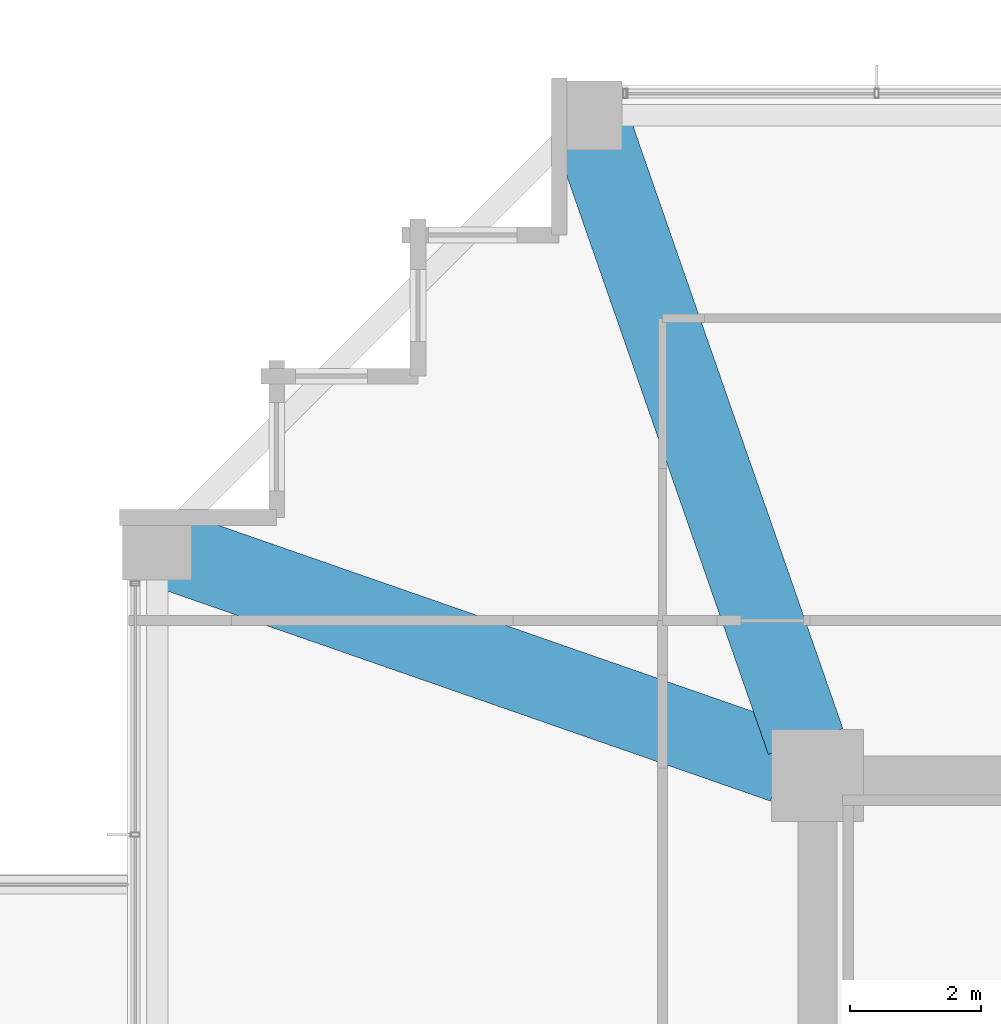
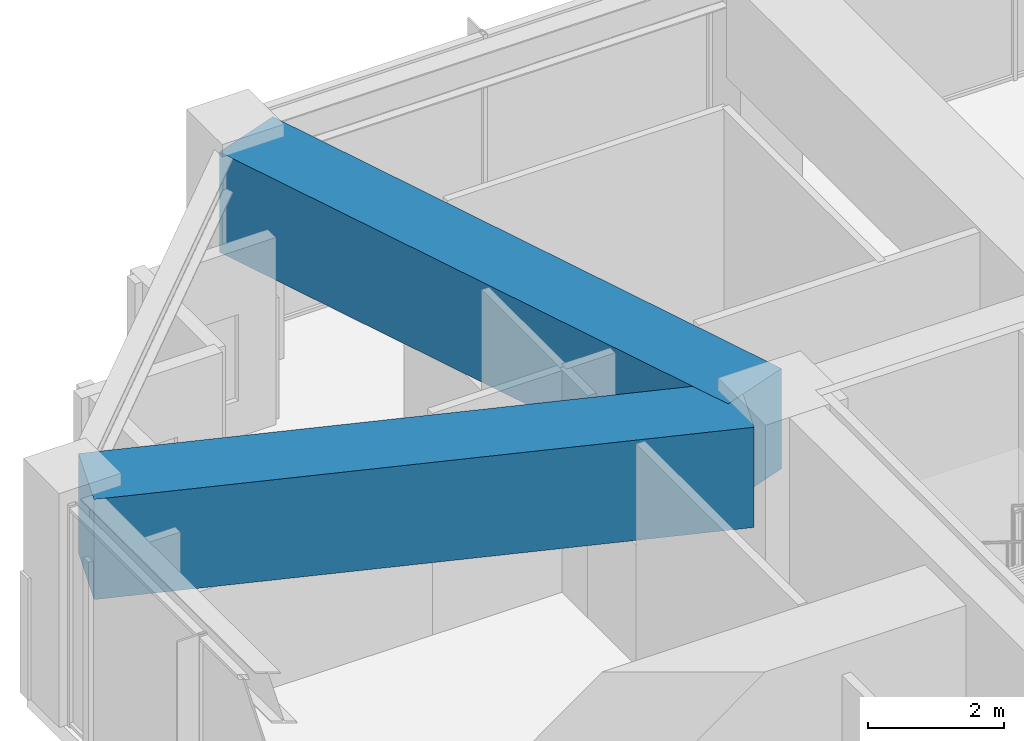
# One storey, part 21 of 40: 2 beams.
"""IFC4 building model written with IfcOpenShell, lengths in metres."""

from ifc_helpers import new_model, si_unit, direction, frame, origin, origin_2d, place, context, subcontext, project, spatial, rectangle, extrude, material, material_profile, profile_set, type_object, element, save


model = new_model("IFC4")

# Units and contexts
model_context = context("Model", 3, precision=1e-05, world=origin(), true_north=direction((0.0, 1.0)))
body_context = subcontext(model_context, "Body", "Model", "MODEL_VIEW")
ifc_project = project(units=[si_unit("LENGTHUNIT", "METRE"), si_unit("AREAUNIT", "SQUARE_METRE"), si_unit("VOLUMEUNIT", "CUBIC_METRE"), si_unit("PLANEANGLEUNIT", "RADIAN"), si_unit("MASSUNIT", "GRAM", prefix="KILO")], contexts=[model_context])

# Site, building, storey
site_placement = place(None, origin())
site = spatial("IfcSite", under=ifc_project, at=site_placement, CompositionType="ELEMENT")
building_placement = place(site_placement, origin())
building = spatial("IfcBuilding", under=site, at=building_placement, Name="Kolvaren Belvedere", CompositionType="ELEMENT")
storey_placement = place(building_placement, frame((0.0, 0.0, 68.0)))
storey = spatial("IfcBuildingStorey", under=building, at=storey_placement, Name="L19", CompositionType="ELEMENT", Elevation=68.0)

# Beams
ifc_material = material(Name="Concrete C50/60", Category="concrete")
ifc_material_profile = material_profile(ifc_material, rectangle(XDim=1.199951171875, YDim=1.800048828125, at=origin_2d()), Name="RC 1200X1800")
ifc_profile_set = profile_set([ifc_material_profile], Name="Concrete C50/60")
beam_type = type_object("IfcBeamType", Name="BM-TG-1800", PredefinedType="BEAM", material=ifc_profile_set)
for number, where, z_axis, x_axis, name in (
    (1, (-10.080810546875, 10.41943359375, 3.080078125), (-0.328880894453, 0.944371408538, 0.0), (-0.944371408538, -0.328880894453, 0.0), "L19 Corner Core-to-Perimeter Girder CC4-N1"),
    (2, (-10.41943359375, 10.080810546875, 3.080078125), (-0.944371408538, 0.328880894453, 0.0), (-0.328880894453, -0.944371408538, 0.0), "L19 Corner Core-to-Perimeter Girder CC4-W4"),
):
    element("IfcBeam", number, at=place(storey_placement, frame(where, z_axis=z_axis, x_axis=x_axis)), inside=storey, type_object=beam_type, Name=name, PredefinedType="BEAM", context=body_context, shape_type="SweptSolid", body=[
        extrude(rectangle(XDim=1.199951171875, YDim=1.800048828125, at=origin_2d()), origin(), (0.0, 0.0, 1.0), 9.882080078125),
    ])

save(model, "model.ifc")
